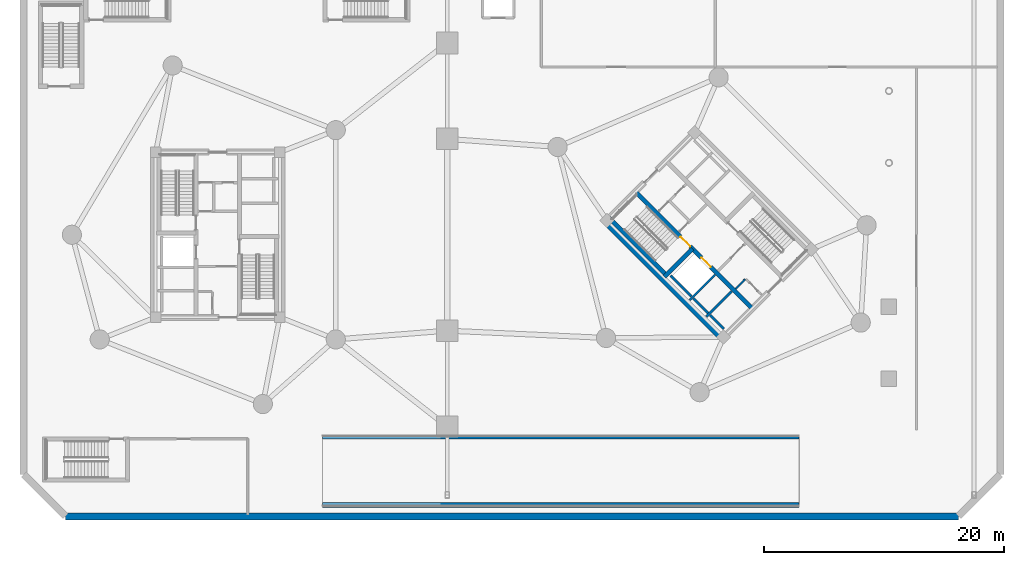
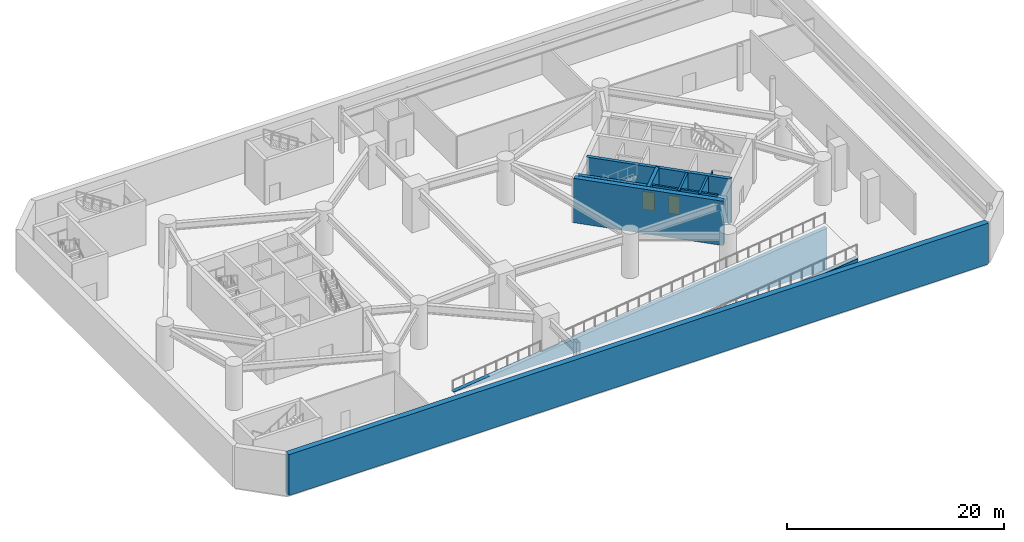
# One storey, part 6 of 14: 13 walls, 2 doors, 2 openings.
"""IFC4 building model written with IfcOpenShell, lengths in metres."""

from ifc_helpers import new_model, si_unit, direction, frame, frame_2d, origin, place, context, subcontext, project, spatial, polyline, rectangle, outline, extrude, source, transform, mapped, material, layer, layer_set, type_object, element, fill, save


model = new_model("IFC4")

# Units and contexts
model_context = context("Model", 3, precision=1e-05, world=origin(), true_north=direction((0.0, 1.0)))
body_context = subcontext(model_context, "Body", "Model", "MODEL_VIEW")
ifc_project = project(units=[si_unit("LENGTHUNIT", "METRE"), si_unit("AREAUNIT", "SQUARE_METRE"), si_unit("VOLUMEUNIT", "CUBIC_METRE"), si_unit("PLANEANGLEUNIT", "RADIAN"), si_unit("MASSUNIT", "GRAM", prefix="KILO")], contexts=[model_context])

# Site, building, storey
site_placement = place(None, origin())
site = spatial("IfcSite", under=ifc_project, at=site_placement, CompositionType="ELEMENT")
building_placement = place(site_placement, origin())
building = spatial("IfcBuilding", under=site, at=building_placement, Name="Cununo Teusaquillo Station Towers", CompositionType="ELEMENT")
storey_placement = place(building_placement, frame((0.0, 0.0, -5.0)))
storey = spatial("IfcBuildingStorey", under=building, at=storey_placement, Name="B01", CompositionType="ELEMENT", Elevation=-5.0)

# Walls
ifc_material_1 = material(Name="Concrete C50/60", Category="concrete")
ifc_layer_1 = layer(ifc_material_1, 0.199951171875)
ifc_layer_set_1 = layer_set([ifc_layer_1], Name="Concrete C50/60")
wall_type_1 = type_object("IfcWallType", Name="WL-CORE-200", PredefinedType="SHEAR", material=ifc_layer_set_1)
wall_1_placement = place(storey_placement, frame((55.8876953125, 19.0693359375, 0.0), z_axis=(0.0, 0.0, 1.0), x_axis=(0.707106781187, 0.707106781187, 0.0)))
element("IfcWall", 1, at=wall_1_placement, inside=storey, type_object=wall_type_1, Name="B01 Tower B Firefighting Lift Shaft South Shear Wall", PredefinedType="SHEAR", context=body_context, shape_type="SweptSolid", body=[
    extrude(rectangle(XDim=2.969970703125, YDim=0.199951171875, at=frame_2d((1.48486328125, 0.0))), origin(), (0.0, 0.0, 1.0), 5.0),
])
wall_2_placement = place(storey_placement, frame((56.01513671875, 19.366455078125, 0.0), z_axis=(0.0, 0.0, 1.0), x_axis=(-0.707106781187, 0.707106781187, 0.0)))
element("IfcWall", 2, at=wall_2_placement, inside=storey, type_object=wall_type_1, Name="B01 Tower B Firefighting Lift Shaft Rear Shear Wall", PredefinedType="SHEAR", context=body_context, shape_type="SweptSolid", body=[
    extrude(rectangle(XDim=2.43994140625, YDim=0.199951171875, at=frame_2d((1.219970703125, 0.0))), origin(), (0.0, 0.0, 1.0), 5.0),
])
wall_3_placement = place(storey_placement, frame((57.2841796875, 17.6728515625, 0.0), z_axis=(0.0, 0.0, 1.0), x_axis=(0.707147878904, 0.70706568108, 0.0)))
element("IfcWall", 3, at=wall_3_placement, inside=storey, type_object=wall_type_1, Name="B01 Tower B High-Rise Lift Hoistway Divider Shear Wall", PredefinedType="SHEAR", context=body_context, shape_type="SweptSolid", body=[
    extrude(rectangle(XDim=2.97021484375, YDim=0.199951171875, at=frame_2d((1.485107421875, 0.0))), origin(), (0.0, 0.0, 1.0), 5.0),
])
wall_4_placement = place(storey_placement, frame((57.41162109375, 17.969970703125, 0.0), z_axis=(0.0, 0.0, 1.0), x_axis=(-0.707106781187, 0.707106781187, 0.0)))
element("IfcWall", 4, at=wall_4_placement, inside=storey, type_object=wall_type_1, Name="B01 Tower B High-Rise Lift 2 Shaft Rear Shear Wall", PredefinedType="SHEAR", context=body_context, shape_type="SweptSolid", body=[
    extrude(rectangle(XDim=1.73486328125, YDim=0.199951171875, at=frame_2d((0.867431640625, 0.0))), origin(), (0.0, 0.0, 1.0), 5.0),
])
wall_5_placement = place(storey_placement, frame((58.7373046875, 16.64404296875, 0.0), z_axis=(0.0, 0.0, 1.0), x_axis=(-0.707032117043, 0.707181437447, 0.0)))
element("IfcWall", 5, at=wall_5_placement, inside=storey, type_object=wall_type_1, Name="B01 Tower B High-Rise Lift 1 Shaft Rear Shear Wall", PredefinedType="SHEAR", context=body_context, shape_type="SweptSolid", body=[
    extrude(rectangle(XDim=1.635009765625, YDim=0.199951171875, at=frame_2d((0.8173828125, 0.0))), origin(), (0.0, 0.0, 1.0), 5.0),
])

# Wall, openings, doors
ifc_material_2 = material(Name="Concrete C50/60", Category="concrete")
ifc_layer_2 = layer(ifc_material_2, 0.35009765625)
ifc_layer_set_2 = layer_set([ifc_layer_2], Name="Concrete C50/60")
wall_type_2 = type_object("IfcWallType", Name="WL-CORE-350", PredefinedType="SHEAR", material=ifc_layer_set_2)
wall_6_placement = place(storey_placement, frame((61.095703125, 18.337646484375, 0.0), z_axis=(0.0, 0.0, 1.0), x_axis=(-0.707106781187, 0.707106781187, 0.0)))
wall_6 = element("IfcWall", 6, at=wall_6_placement, inside=storey, type_object=wall_type_2, Name="B01 Tower B Core Shear Wall IW", PredefinedType="SHEAR", context=body_context, shape_type="SweptSolid", body=[
    extrude(rectangle(XDim=13.800048828125, YDim=0.35009765625, at=frame_2d((6.89990234375, 0.0))), origin(), (0.0, 0.0, 1.0), 5.0),
])
shared_shape_1 = source(origin(), body_context, "Body", "SweptSolid", [
    extrude(rectangle(XDim=1.10009765625, YDim=2.014892578125, at=frame_2d((0.550048828125, 1.00732421875))), frame((0.0, 0.18505859375, 0.0), z_axis=(0.0, -1.0, 0.0), x_axis=(1.0, 0.0, 0.0)), (0.0, 0.0, 1.0), 0.3701171875),
])
opening_1_placement = place(wall_6_placement, frame((4.89990234375, 0.0, 0.0)))
opening_1 = element("IfcOpeningElement", 7, at=opening_1_placement, cuts=wall_6, Name="Opening LD-01", PredefinedType="OPENING", context=body_context, shape_type="MappedRepresentation", body=[
    mapped(shared_shape_1, transform((0.0, 0.0, 0.0), x_axis=(1.0, 0.0, 0.0), y_axis=(0.0, 1.0, 0.0), z_axis=(0.0, 0.0, 1.0), scale=1.0)),
])
shared_shape_2 = source(origin(), body_context, "Body", "SweptSolid", [
    extrude(rectangle(XDim=1.14990234375, YDim=2.02001953125, at=frame_2d((0.574951171875, 1.010009765625))), frame((0.0, 0.18505859375, 0.0), z_axis=(0.0, -1.0, 0.0), x_axis=(1.0, 0.0, 0.0)), (0.0, 0.0, 1.0), 0.3701171875),
])
opening_2_placement = place(wall_6_placement, frame((7.320068359375, 0.0, 0.0)))
opening_2 = element("IfcOpeningElement", 8, at=opening_2_placement, cuts=wall_6, Name="Opening D-ST1", PredefinedType="OPENING", context=body_context, shape_type="MappedRepresentation", body=[
    mapped(shared_shape_2, transform((0.0, 0.0, 0.0), x_axis=(1.0, 0.0, 0.0), y_axis=(0.0, 1.0, 0.0), z_axis=(0.0, 0.0, 1.0), scale=1.0)),
])
ifc_material_3 = material(Name="Galvanised fire-rated hollow steel door assembly", Category="steel")
door_type_1 = type_object("IfcDoorType", Name="DR-LIFT-1100", OperationType="SLIDING_TO_LEFT", PredefinedType="DOOR", material=ifc_material_3)
shared_shape_3 = source(origin(), body_context, "Body", "SweptSolid", [
    extrude(rectangle(XDim=1.10009765625, YDim=2.014892578125, at=frame_2d((0.550048828125, 1.00732421875))), frame((0.0, 0.02490234375, 0.0), z_axis=(0.0, -1.0, 0.0), x_axis=(1.0, 0.0, 0.0)), (0.0, 0.0, 1.0), 0.050048828125),
])
door_1_placement = place(opening_1_placement, origin())
door_1 = element("IfcDoor", 9, at=door_1_placement, inside=storey, type_object=door_type_1, Name="B01 Lift FL-T2 Sliding Landing Door", OperationType="SLIDING_TO_LEFT", OverallHeight=2.014892578125, OverallWidth=1.10009765625, PredefinedType="DOOR", context=body_context, shape_type="MappedRepresentation", body=[
    mapped(shared_shape_3, transform((0.0, 0.0, 0.0), x_axis=(1.0, 0.0, 0.0), y_axis=(0.0, 1.0, 0.0), z_axis=(0.0, 0.0, 1.0), scale=1.0)),
])
fill(opening_1, door_1)
ifc_material_4 = material(Name="Galvanised fire-rated hollow steel door assembly", Category="steel")
door_type_2 = type_object("IfcDoorType", Name="DR-STAIR-1150", OperationType="NOTDEFINED", PredefinedType="DOOR", material=ifc_material_4)
shared_shape_4 = source(origin(), body_context, "Body", "SweptSolid", [
    extrude(rectangle(XDim=1.14990234375, YDim=2.02001953125, at=frame_2d((0.574951171875, 1.010009765625))), frame((0.0, 0.02490234375, 0.0), z_axis=(0.0, -1.0, 0.0), x_axis=(1.0, 0.0, 0.0)), (0.0, 0.0, 1.0), 0.050048828125),
])
door_2_placement = place(opening_2_placement, origin())
door_2 = element("IfcDoor", 10, at=door_2_placement, inside=storey, type_object=door_type_2, Name="B01 Tower B Exit Stair 1 Fire Door", OperationType="SINGLE_SWING_RIGHT", OverallHeight=2.02001953125, OverallWidth=1.14990234375, PredefinedType="DOOR", context=body_context, shape_type="MappedRepresentation", body=[
    mapped(shared_shape_4, transform((0.0, 0.0, 0.0), x_axis=(1.0, 0.0, 0.0), y_axis=(0.0, 1.0, 0.0), z_axis=(0.0, 0.0, 1.0), scale=1.0)),
])
fill(opening_2, door_2)

# Walls
wall_7_placement = place(storey_placement, frame((53.922119140625, 21.14111328125, 0.0), z_axis=(0.0, 0.0, 1.0), x_axis=(-0.707106781187, 0.707106781187, 0.0)))
element("IfcWall", 11, at=wall_7_placement, inside=storey, type_object=wall_type_2, Name="B01 Tower B Core Shear Wall ST1W", PredefinedType="SHEAR", context=body_context, shape_type="SweptSolid", body=[
    extrude(rectangle(XDim=6.7451171875, YDim=0.35009765625, at=frame_2d((3.37255859375, 0.0))), origin(), (0.0, 0.0, 1.0), 5.0),
])
wall_8_placement = place(storey_placement, frame((53.7841796875, 21.00341796875, 0.0), z_axis=(0.0, 0.0, 1.0), x_axis=(0.707106781187, 0.707106781187, 0.0)))
element("IfcWall", 12, at=wall_8_placement, inside=storey, type_object=wall_type_2, Name="B01 Tower B Core Shear Wall ST1S", PredefinedType="SHEAR", context=body_context, shape_type="SweptSolid", body=[
    extrude(rectangle(XDim=3.284912109375, YDim=0.35009765625, at=frame_2d((1.642578125, 0.0))), origin(), (0.0, 0.0, 1.0), 5.0),
])
ifc_material_5 = material(Name="Concrete C50/60", Category="concrete")
ifc_layer_3 = layer(ifc_material_5, 0.39990234375)
ifc_layer_set_3 = layer_set([ifc_layer_3], Name="Concrete C50/60")
wall_type_3 = type_object("IfcWallType", Name="WL-CORE-400", PredefinedType="SHEAR", material=ifc_layer_set_3)
for number, where, z_axis, x_axis, name in (
    (13, (25.25, 1.9599609375, 0.0), (0.0, 0.0, 1.0), (1.0, 0.0, 0.0), "B01 Sloped Vehicle Ramp Cheek Wall S"),
    (14, (25.25, 7.639892578125, 0.0), (0.0, 0.0, 1.0), (1.0, 0.0, 0.0), "B01 Sloped Vehicle Ramp Cheek Wall N"),
):
    element("IfcWall", number, at=place(storey_placement, frame(where, z_axis=z_axis, x_axis=x_axis)), inside=storey, type_object=wall_type_3, Name=name, PredefinedType="SHEAR", context=body_context, shape_type="SweptSolid", body=[
        extrude(outline(polyline([(0.0, 0.0), (39.75, 0.0), (39.75, 4.6201171875), (0.0, 0.080078125), (0.0, 0.0)])), frame((0.0, 0.199951171875, 0.0), z_axis=(0.0, -1.0, 0.0), x_axis=(1.0, 0.0, 0.0)), (0.0, 0.0, 1.0), 0.39990234375),
    ])
ifc_material_6 = material(Name="Concrete C60/75", Category="concrete")
ifc_layer_4 = layer(ifc_material_6, 0.5)
ifc_layer_set_4 = layer_set([ifc_layer_4], Name="Concrete C60/75")
wall_type_4 = type_object("IfcWallType", Name="WL-CORE-500", PredefinedType="SHEAR", material=ifc_layer_set_4)
wall_9_placement = place(storey_placement, frame((58.772705078125, 15.6611328125, 0.0), z_axis=(0.0, 0.0, 1.0), x_axis=(-0.707106781187, 0.707106781187, 0.0)))
element("IfcWall", 15, at=wall_9_placement, inside=storey, type_object=wall_type_4, Name="B01 Tower B Core Shear Wall W", PredefinedType="SHEAR", context=body_context, shape_type="SweptSolid", body=[
    extrude(rectangle(XDim=14.2998046875, YDim=0.5, at=frame_2d((7.14990234375, 0.0))), origin(), (0.0, 0.0, 1.0), 5.0),
])
ifc_material_7 = material(Name="Fire-rated gypsum plasterboard partition assembly", Category="gypsum")
ifc_layer_5 = layer(ifc_material_7, 0.125)
ifc_layer_set_5 = layer_set([ifc_layer_5], Name="Fire-rated gypsum plasterboard partition assembly")
wall_type_5 = type_object("IfcWallType", Name="WL-PART-125", PredefinedType="PARTITIONING", material=ifc_layer_set_5)
wall_10_placement = place(storey_placement, frame((59.713134765625, 19.99560546875, 0.0), z_axis=(0.0, 0.0, 1.0), x_axis=(0.707217726, 0.706995818963, 0.0)))
element("IfcWall", 16, at=wall_10_placement, inside=storey, type_object=wall_type_5, Name="B01 Tower B South-West Compact Store North Wall", PredefinedType="PARTITIONING", context=body_context, shape_type="SweptSolid", body=[
    extrude(rectangle(XDim=1.10009765625, YDim=0.125, at=frame_2d((0.550048828125, 0.0))), origin(), (0.0, 0.0, 1.0), 4.60498046875),
])
ifc_material_8 = material(Name="Concrete C50/60", Category="concrete")
ifc_layer_6 = layer(ifc_material_8, 0.60009765625)
ifc_layer_set_6 = layer_set([ifc_layer_6], Name="Concrete C50/60")
wall_type_6 = type_object("IfcWallType", Name="WL-RET-600", PredefinedType="SOLIDWALL", material=ifc_layer_set_6)
wall_11_placement = place(storey_placement, frame((3.800048828125, 1.0, 0.0), z_axis=(0.0, 0.0, 1.0), x_axis=(1.0, 0.0, 0.0)))
element("IfcWall", 17, at=wall_11_placement, inside=storey, type_object=wall_type_6, Name="B01 Basement Diaphragm Retaining Wall 1", PredefinedType="SOLIDWALL", context=body_context, shape_type="SweptSolid", body=[
    extrude(rectangle(XDim=74.5, YDim=0.60009765625, at=frame_2d((37.25, 0.0))), origin(), (0.0, 0.0, 1.0), 4.6201171875),
])

save(model, "model.ifc")
